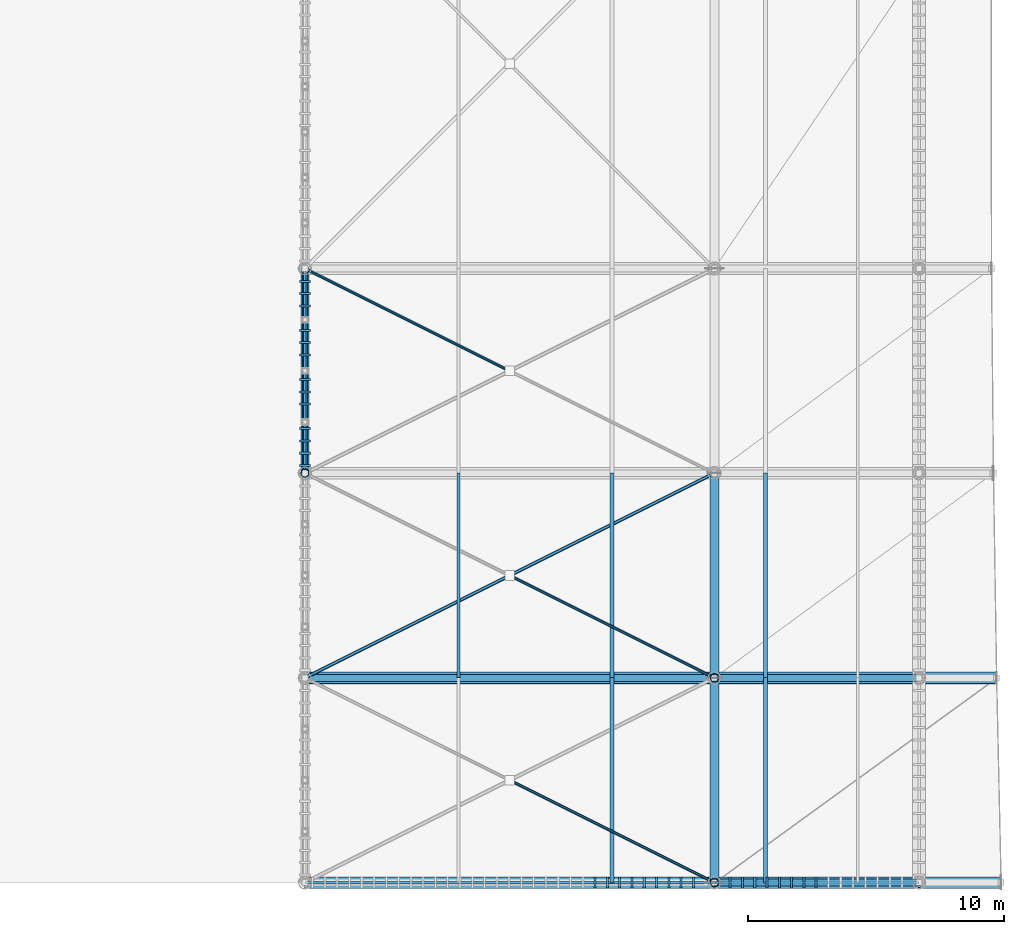
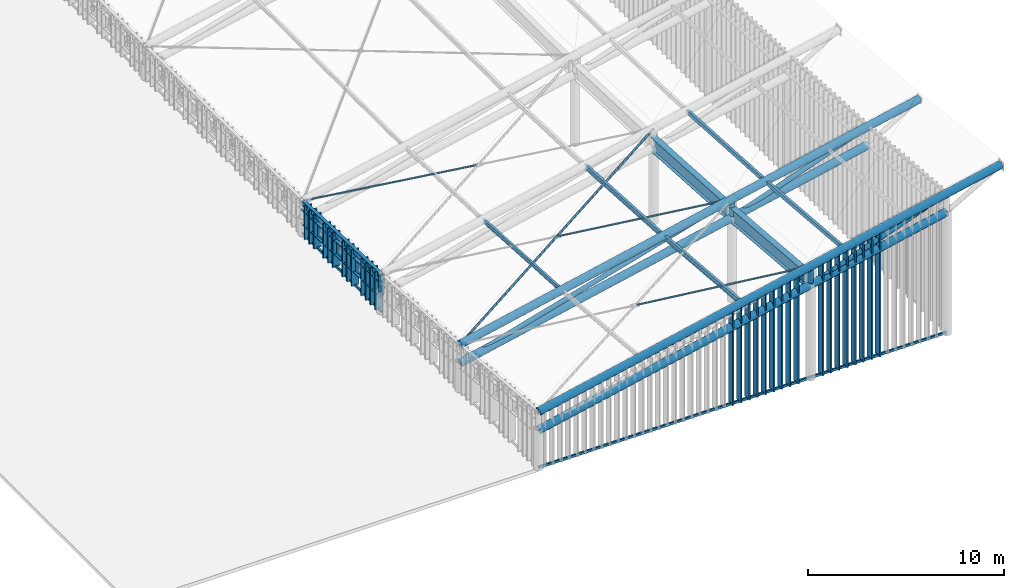
# One storey, part 4 of 25: 52 members, 4 beams.
"""IFC4 building model written with IfcOpenShell, lengths in metres."""

from ifc_helpers import new_model, si_unit, direction, frame, origin, origin_2d, place, context, subcontext, project, spatial, rectangle, hollow_rectangle, hollow_circle, i_section, extrude, material, material_profile, profile_set, type_object, element, save


model = new_model("IFC4")

# Units and contexts
model_context = context("Model", 3, precision=1e-05, world=origin(), true_north=direction((0.0, 1.0)))
body_context = subcontext(model_context, "Body", "Model", "MODEL_VIEW")
ifc_project = project(units=[si_unit("LENGTHUNIT", "METRE"), si_unit("AREAUNIT", "SQUARE_METRE"), si_unit("VOLUMEUNIT", "CUBIC_METRE"), si_unit("PLANEANGLEUNIT", "RADIAN"), si_unit("MASSUNIT", "GRAM", prefix="KILO")], contexts=[model_context])

# Site, building, storey
site_placement = place(None, origin())
site = spatial("IfcSite", under=ifc_project, at=site_placement, CompositionType="ELEMENT")
building_placement = place(site_placement, origin())
building = spatial("IfcBuilding", under=site, at=building_placement, Name="Haebicheon Civic Stadium", CompositionType="ELEMENT")
storey_placement = place(building_placement, frame((0.0, 0.0, 31.199951171875)))
storey = spatial("IfcBuildingStorey", under=building, at=storey_placement, Name="RF", CompositionType="ELEMENT", Elevation=31.199951171875)

# Members
ifc_material_1 = material(Name="White painted steel SM490", Category="steel")
ifc_material_profile_1 = material_profile(ifc_material_1, hollow_circle(Radius=0.05712890625, WallThickness=0.006103515625, at=origin_2d()), Name="CHS-114.3x6.0")
ifc_profile_set_1 = profile_set([ifc_material_profile_1], Name="White painted steel SM490")
member_type_1 = type_object("IfcMemberType", Name="BRC-CHS114", PredefinedType="BRACE", material=ifc_profile_set_1)
member_1_placement = place(storey_placement, frame((56.06298828125, 51.968994140625, 4.920166015625), z_axis=(0.87165287148, -0.435880059417, 0.224120158496), x_axis=(0.447257613669, 0.894405180561, 0.0)))
element("IfcMember", 1, at=member_1_placement, inside=storey, type_object=member_type_1, material=ifc_profile_set_1, Name="BR114 diagonal brace CAN-WEST canopy bay 1 B2", PredefinedType="BRACE", context=body_context, shape_type="SweptSolid", body=[
    extrude(hollow_circle(Radius=0.05712890625, WallThickness=0.006103515625, at=origin_2d()), origin(), (0.0, 0.0, 1.0), 9.105712890625),
])
member_2_placement = place(storey_placement, frame((56.06298828125, 59.968994140625, 4.341064453125), z_axis=(0.873644789116, -0.436876140777, 0.214205555646), x_axis=(0.447257613669, 0.894405180561, 0.0)))
element("IfcMember", 2, at=member_2_placement, inside=storey, type_object=member_type_1, material=ifc_profile_set_1, Name="BR114 diagonal brace CAN-WEST canopy bay 2 B2", PredefinedType="BRACE", context=body_context, shape_type="SweptSolid", body=[
    extrude(hollow_circle(Radius=0.05712890625, WallThickness=0.006103515625, at=origin_2d()), origin(), (0.0, 0.0, 1.0), 9.0849609375),
])
member_3_placement = place(storey_placement, frame((48.0, 72.0, 2.0771484375), z_axis=(0.875624987725, -0.437758625823, 0.204079068963), x_axis=(0.447169574081, 0.894449200355, 0.0)))
element("IfcMember", 3, at=member_3_placement, inside=storey, type_object=member_type_1, material=ifc_profile_set_1, Name="BR114 diagonal brace CAN-WEST canopy bay 3 B1", PredefinedType="BRACE", context=body_context, shape_type="SweptSolid", body=[
    extrude(hollow_circle(Radius=0.05712890625, WallThickness=0.006103515625, at=origin_2d()), origin(), (0.0, 0.0, 1.0), 9.064453125),
])
ifc_material_2 = material(Name="White painted steel SM490", Category="steel")
ifc_material_profile_2 = material_profile(ifc_material_2, hollow_circle(Radius=0.06982421875, WallThickness=0.006591796875, at=origin_2d()), Name="CHS-139.8x6.6")
ifc_profile_set_2 = profile_set([ifc_material_profile_2], Name="White painted steel SM490")
member_type_2 = type_object("IfcMemberType", Name="BRC-CHS139", PredefinedType="BRACE", material=ifc_profile_set_2)
member_4_placement = place(storey_placement, frame((48.0, 56.0, 2.84716796875), z_axis=(0.882436392639, 0.44121819632, 0.163194718609), x_axis=(-0.4472135955, 0.894427191, 0.0)))
element("IfcMember", 4, at=member_4_placement, inside=storey, type_object=member_type_2, material=ifc_profile_set_2, Name="BR139 diagonal brace CAN-WEST canopy bay 2 A", PredefinedType="BRACE", context=body_context, shape_type="SweptSolid", body=[
    extrude(hollow_circle(Radius=0.06982421875, WallThickness=0.006591796875, at=origin_2d()), origin(), (0.0, 0.0, 1.0), 18.131591796875),
])
ifc_material_3 = material(Name="White painted steel SM490", Category="steel")
ifc_material_profile_3 = material_profile(ifc_material_3, hollow_circle(Radius=0.1337890625, WallThickness=0.011962890625, at=origin_2d()), Name="CHS-267.4x12.0")
ifc_profile_set_3 = profile_set([ifc_material_profile_3], Name="White painted steel SM490")
member_type_3 = type_object("IfcMemberType", Name="BRC-CHS267", PredefinedType="BRACE", material=ifc_profile_set_3)
member_5_placement = place(storey_placement, frame((64.0, 48.0, 5.81103515625), z_axis=(0.941257424358, 0.0, 0.337689888939), x_axis=(0.0, 1.0, 0.0)))
element("IfcMember", 5, at=member_5_placement, inside=storey, type_object=member_type_3, material=ifc_profile_set_3, Name="BR267 diagonal brace CAN-WEST truss 1 D2", PredefinedType="BRACE", context=body_context, shape_type="SweptSolid", body=[
    extrude(hollow_circle(Radius=0.1337890625, WallThickness=0.011962890625, at=origin_2d()), origin(), (0.0, 0.0, 1.0), 8.499267578125),
])
member_6_placement = place(storey_placement, frame((48.0, 56.0, 1.697021484375), z_axis=(0.961227278426, 0.0, 0.275757355678), x_axis=(0.0, 1.0, 0.0)))
element("IfcMember", 6, at=member_6_placement, inside=storey, type_object=member_type_3, material=ifc_profile_set_3, Name="BR267 diagonal brace CAN-WEST truss 2 D1", PredefinedType="BRACE", context=body_context, shape_type="SweptSolid", body=[
    extrude(hollow_circle(Radius=0.1337890625, WallThickness=0.011962890625, at=origin_2d()), origin(), (0.0, 0.0, 1.0), 16.6455078125),
])
member_7_placement = place(storey_placement, frame((64.0, 56.0, 5.136962890625), z_axis=(0.941257424358, 0.0, 0.337689888939), x_axis=(0.0, 1.0, 0.0)))
element("IfcMember", 7, at=member_7_placement, inside=storey, type_object=member_type_3, material=ifc_profile_set_3, Name="BR267 diagonal brace CAN-WEST truss 2 D2", PredefinedType="BRACE", context=body_context, shape_type="SweptSolid", body=[
    extrude(hollow_circle(Radius=0.1337890625, WallThickness=0.011962890625, at=origin_2d()), origin(), (0.0, 0.0, 1.0), 8.499267578125),
])
ifc_material_4 = material(Name="White painted steel SM490", Category="steel")
ifc_material_profile_4 = material_profile(ifc_material_4, hollow_circle(Radius=0.228515625, WallThickness=0.02197265625, at=origin_2d()), Name="CHS-457.2x22.0")
ifc_profile_set_4 = profile_set([ifc_material_profile_4], Name="White painted steel SM490")
member_type_4 = type_object("IfcMemberType", Name="CHD-CHS457", PredefinedType="CHORD", material=ifc_profile_set_4)
member_8_placement = place(storey_placement, frame((48.0, 48.0, 3.52099609375), z_axis=(0.977657968939, 0.0, 0.210202035598), x_axis=(0.0, 1.0, 0.0)))
element("IfcMember", 8, at=member_8_placement, inside=storey, type_object=member_type_4, material=ifc_profile_set_4, Name="CH457 truss chord CAN-WEST 1 top", PredefinedType="CHORD", context=body_context, shape_type="SweptSolid", body=[
    extrude(hollow_circle(Radius=0.228515625, WallThickness=0.02197265625, at=origin_2d()), origin(), (0.0, 0.0, 1.0), 27.821533203125),
])
member_9_placement = place(storey_placement, frame((48.0, 48.0, 2.37109375), z_axis=(0.977659849808, 0.0, 0.210193287411), x_axis=(0.0, 1.0, 0.0)))
element("IfcMember", 9, at=member_9_placement, inside=storey, type_object=member_type_4, material=ifc_profile_set_4, Name="CH457 truss chord CAN-WEST 1 bottom", PredefinedType="CHORD", context=body_context, shape_type="SweptSolid", body=[
    extrude(hollow_circle(Radius=0.228515625, WallThickness=0.02197265625, at=origin_2d()), origin(), (0.0, 0.0, 1.0), 24.54833984375),
])
member_10_placement = place(storey_placement, frame((48.0, 56.0, 2.84716796875), z_axis=(0.97766312505, 0.0, 0.210178052892), x_axis=(0.0, 1.0, 0.0)))
element("IfcMember", 10, at=member_10_placement, inside=storey, type_object=member_type_4, material=ifc_profile_set_4, Name="CH457 truss chord CAN-WEST 2 top", PredefinedType="CHORD", context=body_context, shape_type="SweptSolid", body=[
    extrude(hollow_circle(Radius=0.228515625, WallThickness=0.02197265625, at=origin_2d()), origin(), (0.0, 0.0, 1.0), 27.642333984375),
])
member_11_placement = place(storey_placement, frame((48.0, 56.0, 1.697021484375), z_axis=(0.977659849808, 0.0, 0.210193287411), x_axis=(0.0, 1.0, 0.0)))
element("IfcMember", 11, at=member_11_placement, inside=storey, type_object=member_type_4, material=ifc_profile_set_4, Name="CH457 truss chord CAN-WEST 2 bottom", PredefinedType="CHORD", context=body_context, shape_type="SweptSolid", body=[
    extrude(hollow_circle(Radius=0.228515625, WallThickness=0.02197265625, at=origin_2d()), origin(), (0.0, 0.0, 1.0), 24.54833984375),
])
ifc_material_5 = material(Name="Acetylated timber GL28h", Category="wood")
ifc_material_profile_5 = material_profile(ifc_material_5, rectangle(XDim=0.080078125, YDim=0.43994140625, at=origin_2d()), Name="TMB-LOUV-80x440")
ifc_profile_set_5 = profile_set([ifc_material_profile_5], Name="Acetylated timber GL28h")
member_type_5 = type_object("IfcMemberType", Name="CRN-LVR-440x80", PredefinedType="PLATE", material=ifc_profile_set_5)
member_12_placement = place(storey_placement, frame((48.0, 64.300048828125, 0.050048828125), z_axis=(0.0, 0.0, 1.0), x_axis=(0.0, 1.0, 0.0)))
element("IfcMember", 12, at=member_12_placement, inside=storey, type_object=member_type_5, material=ifc_profile_set_5, Name="Crown wind-baffle slat W.3.1", PredefinedType="PLATE", context=body_context, shape_type="SweptSolid", body=[
    extrude(rectangle(XDim=0.080078125, YDim=0.43994140625, at=origin_2d()), origin(), (0.0, 0.0, 1.0), 2.333984375),
])
member_13_placement = place(storey_placement, frame((48.0, 64.780029296875, 0.050048828125), z_axis=(0.0, 0.0, 1.0), x_axis=(0.0, 1.0, 0.0)))
element("IfcMember", 13, at=member_13_placement, inside=storey, type_object=member_type_5, material=ifc_profile_set_5, Name="Crown wind-baffle slat W.3.2", PredefinedType="PLATE", context=body_context, shape_type="SweptSolid", body=[
    extrude(rectangle(XDim=0.080078125, YDim=0.43994140625, at=origin_2d()), origin(), (0.0, 0.0, 1.0), 2.31689453125),
])
member_14_placement = place(storey_placement, frame((48.0, 65.260009765625, 0.050048828125), z_axis=(0.0, 0.0, 1.0), x_axis=(0.0, 1.0, 0.0)))
element("IfcMember", 14, at=member_14_placement, inside=storey, type_object=member_type_5, material=ifc_profile_set_5, Name="Crown wind-baffle slat W.3.3", PredefinedType="PLATE", context=body_context, shape_type="SweptSolid", body=[
    extrude(rectangle(XDim=0.080078125, YDim=0.43994140625, at=origin_2d()), origin(), (0.0, 0.0, 1.0), 2.299072265625),
])
member_15_placement = place(storey_placement, frame((48.0, 65.739990234375, 0.050048828125), z_axis=(0.0, 0.0, 1.0), x_axis=(0.0, 1.0, 0.0)))
element("IfcMember", 15, at=member_15_placement, inside=storey, type_object=member_type_5, material=ifc_profile_set_5, Name="Crown wind-baffle slat W.3.4", PredefinedType="PLATE", context=body_context, shape_type="SweptSolid", body=[
    extrude(rectangle(XDim=0.080078125, YDim=0.43994140625, at=origin_2d()), origin(), (0.0, 0.0, 1.0), 2.281982421875),
])
member_16_placement = place(storey_placement, frame((48.0, 66.699951171875, 0.050048828125), z_axis=(0.0, 0.0, 1.0), x_axis=(0.0, 1.0, 0.0)))
element("IfcMember", 16, at=member_16_placement, inside=storey, type_object=member_type_5, material=ifc_profile_set_5, Name="Crown wind-baffle slat W.3.6", PredefinedType="PLATE", context=body_context, shape_type="SweptSolid", body=[
    extrude(rectangle(XDim=0.080078125, YDim=0.43994140625, at=origin_2d()), origin(), (0.0, 0.0, 1.0), 2.2470703125),
])
member_17_placement = place(storey_placement, frame((48.0, 67.179931640625, 0.050048828125), z_axis=(0.0, 0.0, 1.0), x_axis=(0.0, 1.0, 0.0)))
element("IfcMember", 17, at=member_17_placement, inside=storey, type_object=member_type_5, material=ifc_profile_set_5, Name="Crown wind-baffle slat W.3.7", PredefinedType="PLATE", context=body_context, shape_type="SweptSolid", body=[
    extrude(rectangle(XDim=0.080078125, YDim=0.43994140625, at=origin_2d()), origin(), (0.0, 0.0, 1.0), 2.22998046875),
])
member_18_placement = place(storey_placement, frame((48.0, 67.659912109375, 0.050048828125), z_axis=(0.0, 0.0, 1.0), x_axis=(0.0, 1.0, 0.0)))
element("IfcMember", 18, at=member_18_placement, inside=storey, type_object=member_type_5, material=ifc_profile_set_5, Name="Crown wind-baffle slat W.3.8", PredefinedType="PLATE", context=body_context, shape_type="SweptSolid", body=[
    extrude(rectangle(XDim=0.080078125, YDim=0.43994140625, at=origin_2d()), origin(), (0.0, 0.0, 1.0), 2.212890625),
])
member_19_placement = place(storey_placement, frame((48.0, 68.6201171875, 0.050048828125), z_axis=(0.0, 0.0, 1.0), x_axis=(0.0, 1.0, 0.0)))
element("IfcMember", 19, at=member_19_placement, inside=storey, type_object=member_type_5, material=ifc_profile_set_5, Name="Crown wind-baffle slat W.3.10", PredefinedType="PLATE", context=body_context, shape_type="SweptSolid", body=[
    extrude(rectangle(XDim=0.080078125, YDim=0.43994140625, at=origin_2d()), origin(), (0.0, 0.0, 1.0), 2.177978515625),
])
member_20_placement = place(storey_placement, frame((48.0, 69.10009765625, 0.050048828125), z_axis=(0.0, 0.0, 1.0), x_axis=(0.0, 1.0, 0.0)))
element("IfcMember", 20, at=member_20_placement, inside=storey, type_object=member_type_5, material=ifc_profile_set_5, Name="Crown wind-baffle slat W.3.11", PredefinedType="PLATE", context=body_context, shape_type="SweptSolid", body=[
    extrude(rectangle(XDim=0.080078125, YDim=0.43994140625, at=origin_2d()), origin(), (0.0, 0.0, 1.0), 2.160888671875),
])
member_21_placement = place(storey_placement, frame((48.0, 69.580078125, 0.050048828125), z_axis=(0.0, 0.0, 1.0), x_axis=(0.0, 1.0, 0.0)))
element("IfcMember", 21, at=member_21_placement, inside=storey, type_object=member_type_5, material=ifc_profile_set_5, Name="Crown wind-baffle slat W.3.12", PredefinedType="PLATE", context=body_context, shape_type="SweptSolid", body=[
    extrude(rectangle(XDim=0.080078125, YDim=0.43994140625, at=origin_2d()), origin(), (0.0, 0.0, 1.0), 2.14306640625),
])
member_22_placement = place(storey_placement, frame((48.0, 70.5400390625, 0.050048828125), z_axis=(0.0, 0.0, 1.0), x_axis=(0.0, 1.0, 0.0)))
element("IfcMember", 22, at=member_22_placement, inside=storey, type_object=member_type_5, material=ifc_profile_set_5, Name="Crown wind-baffle slat W.3.14", PredefinedType="PLATE", context=body_context, shape_type="SweptSolid", body=[
    extrude(rectangle(XDim=0.080078125, YDim=0.43994140625, at=origin_2d()), origin(), (0.0, 0.0, 1.0), 2.10888671875),
])
member_23_placement = place(storey_placement, frame((48.0, 71.02001953125, 0.050048828125), z_axis=(0.0, 0.0, 1.0), x_axis=(0.0, 1.0, 0.0)))
element("IfcMember", 23, at=member_23_placement, inside=storey, type_object=member_type_5, material=ifc_profile_set_5, Name="Crown wind-baffle slat W.3.15", PredefinedType="PLATE", context=body_context, shape_type="SweptSolid", body=[
    extrude(rectangle(XDim=0.080078125, YDim=0.43994140625, at=origin_2d()), origin(), (0.0, 0.0, 1.0), 2.091064453125),
])
member_24_placement = place(storey_placement, frame((48.0, 71.5, 0.050048828125), z_axis=(0.0, 0.0, 1.0), x_axis=(0.0, 1.0, 0.0)))
element("IfcMember", 24, at=member_24_placement, inside=storey, type_object=member_type_5, material=ifc_profile_set_5, Name="Crown wind-baffle slat W.3.16", PredefinedType="PLATE", context=body_context, shape_type="SweptSolid", body=[
    extrude(rectangle(XDim=0.080078125, YDim=0.43994140625, at=origin_2d()), origin(), (0.0, 0.0, 1.0), 2.073974609375),
])
member_25_placement = place(storey_placement, frame((59.340087890625, 48.0, 0.050048828125), z_axis=(0.0, 0.0, 1.0), x_axis=(1.0, 0.0, 0.0)))
element("IfcMember", 25, at=member_25_placement, inside=storey, type_object=member_type_5, material=ifc_profile_set_5, Name="Crown gable wind-baffle slat S.24", PredefinedType="PLATE", context=body_context, shape_type="SweptSolid", body=[
    extrude(rectangle(XDim=0.080078125, YDim=0.43994140625, at=origin_2d()), origin(), (0.0, 0.0, 1.0), 5.93798828125),
])
member_26_placement = place(storey_placement, frame((59.820068359375, 48.0, 0.050048828125), z_axis=(0.0, 0.0, 1.0), x_axis=(1.0, 0.0, 0.0)))
element("IfcMember", 26, at=member_26_placement, inside=storey, type_object=member_type_5, material=ifc_profile_set_5, Name="Crown gable wind-baffle slat S.25", PredefinedType="PLATE", context=body_context, shape_type="SweptSolid", body=[
    extrude(rectangle(XDim=0.080078125, YDim=0.43994140625, at=origin_2d()), origin(), (0.0, 0.0, 1.0), 6.041015625),
])
member_27_placement = place(storey_placement, frame((60.300048828125, 48.0, 0.050048828125), z_axis=(0.0, 0.0, 1.0), x_axis=(1.0, 0.0, 0.0)))
element("IfcMember", 27, at=member_27_placement, inside=storey, type_object=member_type_5, material=ifc_profile_set_5, Name="Crown gable wind-baffle slat S.26", PredefinedType="PLATE", context=body_context, shape_type="SweptSolid", body=[
    extrude(rectangle(XDim=0.080078125, YDim=0.43994140625, at=origin_2d()), origin(), (0.0, 0.0, 1.0), 6.14404296875),
])
member_28_placement = place(storey_placement, frame((60.780029296875, 48.0, 0.050048828125), z_axis=(0.0, 0.0, 1.0), x_axis=(1.0, 0.0, 0.0)))
element("IfcMember", 28, at=member_28_placement, inside=storey, type_object=member_type_5, material=ifc_profile_set_5, Name="Crown gable wind-baffle slat S.27", PredefinedType="PLATE", context=body_context, shape_type="SweptSolid", body=[
    extrude(rectangle(XDim=0.080078125, YDim=0.43994140625, at=origin_2d()), origin(), (0.0, 0.0, 1.0), 6.248046875),
])
member_29_placement = place(storey_placement, frame((61.260009765625, 48.0, 0.050048828125), z_axis=(0.0, 0.0, 1.0), x_axis=(1.0, 0.0, 0.0)))
element("IfcMember", 29, at=member_29_placement, inside=storey, type_object=member_type_5, material=ifc_profile_set_5, Name="Crown gable wind-baffle slat S.28", PredefinedType="PLATE", context=body_context, shape_type="SweptSolid", body=[
    extrude(rectangle(XDim=0.080078125, YDim=0.43994140625, at=origin_2d()), origin(), (0.0, 0.0, 1.0), 6.35107421875),
])
member_30_placement = place(storey_placement, frame((61.739990234375, 48.0, 0.050048828125), z_axis=(0.0, 0.0, 1.0), x_axis=(1.0, 0.0, 0.0)))
element("IfcMember", 30, at=member_30_placement, inside=storey, type_object=member_type_5, material=ifc_profile_set_5, Name="Crown gable wind-baffle slat S.29", PredefinedType="PLATE", context=body_context, shape_type="SweptSolid", body=[
    extrude(rectangle(XDim=0.080078125, YDim=0.43994140625, at=origin_2d()), origin(), (0.0, 0.0, 1.0), 6.4541015625),
])
member_31_placement = place(storey_placement, frame((62.219970703125, 48.0, 0.050048828125), z_axis=(0.0, 0.0, 1.0), x_axis=(1.0, 0.0, 0.0)))
element("IfcMember", 31, at=member_31_placement, inside=storey, type_object=member_type_5, material=ifc_profile_set_5, Name="Crown gable wind-baffle slat S.30", PredefinedType="PLATE", context=body_context, shape_type="SweptSolid", body=[
    extrude(rectangle(XDim=0.080078125, YDim=0.43994140625, at=origin_2d()), origin(), (0.0, 0.0, 1.0), 6.556884765625),
])
member_32_placement = place(storey_placement, frame((62.699951171875, 48.0, 0.050048828125), z_axis=(0.0, 0.0, 1.0), x_axis=(1.0, 0.0, 0.0)))
element("IfcMember", 32, at=member_32_placement, inside=storey, type_object=member_type_5, material=ifc_profile_set_5, Name="Crown gable wind-baffle slat S.31", PredefinedType="PLATE", context=body_context, shape_type="SweptSolid", body=[
    extrude(rectangle(XDim=0.080078125, YDim=0.43994140625, at=origin_2d()), origin(), (0.0, 0.0, 1.0), 6.659912109375),
])
member_33_placement = place(storey_placement, frame((63.179931640625, 48.0, 0.050048828125), z_axis=(0.0, 0.0, 1.0), x_axis=(1.0, 0.0, 0.0)))
element("IfcMember", 33, at=member_33_placement, inside=storey, type_object=member_type_5, material=ifc_profile_set_5, Name="Crown gable wind-baffle slat S.32", PredefinedType="PLATE", context=body_context, shape_type="SweptSolid", body=[
    extrude(rectangle(XDim=0.080078125, YDim=0.43994140625, at=origin_2d()), origin(), (0.0, 0.0, 1.0), 6.763916015625),
])
member_34_placement = place(storey_placement, frame((64.6201171875, 48.0, 0.050048828125), z_axis=(0.0, 0.0, 1.0), x_axis=(1.0, 0.0, 0.0)))
element("IfcMember", 34, at=member_34_placement, inside=storey, type_object=member_type_5, material=ifc_profile_set_5, Name="Crown gable wind-baffle slat S.35", PredefinedType="PLATE", context=body_context, shape_type="SweptSolid", body=[
    extrude(rectangle(XDim=0.080078125, YDim=0.43994140625, at=origin_2d()), origin(), (0.0, 0.0, 1.0), 7.072998046875),
])
member_35_placement = place(storey_placement, frame((65.10009765625, 48.0, 0.050048828125), z_axis=(0.0, 0.0, 1.0), x_axis=(1.0, 0.0, 0.0)))
element("IfcMember", 35, at=member_35_placement, inside=storey, type_object=member_type_5, material=ifc_profile_set_5, Name="Crown gable wind-baffle slat S.36", PredefinedType="PLATE", context=body_context, shape_type="SweptSolid", body=[
    extrude(rectangle(XDim=0.080078125, YDim=0.43994140625, at=origin_2d()), origin(), (0.0, 0.0, 1.0), 7.176025390625),
])
member_36_placement = place(storey_placement, frame((65.580078125, 48.0, 0.050048828125), z_axis=(0.0, 0.0, 1.0), x_axis=(1.0, 0.0, 0.0)))
element("IfcMember", 36, at=member_36_placement, inside=storey, type_object=member_type_5, material=ifc_profile_set_5, Name="Crown gable wind-baffle slat S.37", PredefinedType="PLATE", context=body_context, shape_type="SweptSolid", body=[
    extrude(rectangle(XDim=0.080078125, YDim=0.43994140625, at=origin_2d()), origin(), (0.0, 0.0, 1.0), 7.280029296875),
])
member_37_placement = place(storey_placement, frame((66.06005859375, 48.0, 0.050048828125), z_axis=(0.0, 0.0, 1.0), x_axis=(1.0, 0.0, 0.0)))
element("IfcMember", 37, at=member_37_placement, inside=storey, type_object=member_type_5, material=ifc_profile_set_5, Name="Crown gable wind-baffle slat S.38", PredefinedType="PLATE", context=body_context, shape_type="SweptSolid", body=[
    extrude(rectangle(XDim=0.080078125, YDim=0.43994140625, at=origin_2d()), origin(), (0.0, 0.0, 1.0), 7.383056640625),
])
member_38_placement = place(storey_placement, frame((66.5400390625, 48.0, 0.050048828125), z_axis=(0.0, 0.0, 1.0), x_axis=(1.0, 0.0, 0.0)))
element("IfcMember", 38, at=member_38_placement, inside=storey, type_object=member_type_5, material=ifc_profile_set_5, Name="Crown gable wind-baffle slat S.39", PredefinedType="PLATE", context=body_context, shape_type="SweptSolid", body=[
    extrude(rectangle(XDim=0.080078125, YDim=0.43994140625, at=origin_2d()), origin(), (0.0, 0.0, 1.0), 7.486083984375),
])
member_39_placement = place(storey_placement, frame((67.02001953125, 48.0, 0.050048828125), z_axis=(0.0, 0.0, 1.0), x_axis=(1.0, 0.0, 0.0)))
element("IfcMember", 39, at=member_39_placement, inside=storey, type_object=member_type_5, material=ifc_profile_set_5, Name="Crown gable wind-baffle slat S.40", PredefinedType="PLATE", context=body_context, shape_type="SweptSolid", body=[
    extrude(rectangle(XDim=0.080078125, YDim=0.43994140625, at=origin_2d()), origin(), (0.0, 0.0, 1.0), 7.589111328125),
])
member_40_placement = place(storey_placement, frame((67.5, 48.0, 0.050048828125), z_axis=(0.0, 0.0, 1.0), x_axis=(1.0, 0.0, 0.0)))
element("IfcMember", 40, at=member_40_placement, inside=storey, type_object=member_type_5, material=ifc_profile_set_5, Name="Crown gable wind-baffle slat S.41", PredefinedType="PLATE", context=body_context, shape_type="SweptSolid", body=[
    extrude(rectangle(XDim=0.080078125, YDim=0.43994140625, at=origin_2d()), origin(), (0.0, 0.0, 1.0), 7.69189453125),
])
member_41_placement = place(storey_placement, frame((67.97998046875, 48.0, 0.050048828125), z_axis=(0.0, 0.0, 1.0), x_axis=(1.0, 0.0, 0.0)))
element("IfcMember", 41, at=member_41_placement, inside=storey, type_object=member_type_5, material=ifc_profile_set_5, Name="Crown gable wind-baffle slat S.42", PredefinedType="PLATE", context=body_context, shape_type="SweptSolid", body=[
    extrude(rectangle(XDim=0.080078125, YDim=0.43994140625, at=origin_2d()), origin(), (0.0, 0.0, 1.0), 7.7958984375),
])
ifc_material_6 = material(Name="White painted steel SM490", Category="steel")
ifc_material_profile_6 = material_profile(ifc_material_6, hollow_rectangle(XDim=0.14990234375, YDim=0.25, WallThickness=0.010009765625, at=origin_2d()), Name="RHS-250x150x10.0")
ifc_profile_set_6 = profile_set([ifc_material_profile_6], Name="White painted steel SM490")
member_type_6 = type_object("IfcMemberType", Name="PRL-RHS250", PredefinedType="PURLIN", material=ifc_profile_set_6)
member_42_placement = place(storey_placement, frame((66.0, 48.0, 7.35009765625), z_axis=(0.0, 0.996468998063, -0.083961514394), x_axis=(-1.0, 0.0, 0.0)))
element("IfcMember", 42, at=member_42_placement, inside=storey, type_object=member_type_6, material=ifc_profile_set_6, Name="CAN-WEST canopy purlin bay 1 (75%)", PredefinedType="PURLIN", context=body_context, shape_type="SweptSolid", body=[
    extrude(hollow_rectangle(XDim=0.14990234375, YDim=0.25, WallThickness=0.010009765625, at=origin_2d()), origin(), (0.0, 0.0, 1.0), 8.0283203125),
])
member_43_placement = place(storey_placement, frame((66.0, 56.0, 6.676025390625), z_axis=(0.0, 0.998197699277, -0.060011275256), x_axis=(-1.0, 0.0, 0.0)))
element("IfcMember", 43, at=member_43_placement, inside=storey, type_object=member_type_6, material=ifc_profile_set_6, Name="CAN-WEST canopy purlin bay 2 (75%)", PredefinedType="PURLIN", context=body_context, shape_type="SweptSolid", body=[
    extrude(hollow_rectangle(XDim=0.14990234375, YDim=0.25, WallThickness=0.010009765625, at=origin_2d()), origin(), (0.0, 0.0, 1.0), 8.014404296875),
])
ifc_material_7 = material(Name="White painted steel SM490", Category="steel")
ifc_material_profile_7 = material_profile(ifc_material_7, i_section(OverallWidth=0.125, OverallDepth=0.25, WebThickness=0.006103515625, FlangeThickness=0.009033203125, at=origin_2d()), Name="H-250x125x6x9")
ifc_profile_set_7 = profile_set([ifc_material_profile_7], Name="White painted steel SM490")
member_type_7 = type_object("IfcMemberType", Name="PRL-ST-H250", PredefinedType="PURLIN", material=ifc_profile_set_7)
member_44_placement = place(storey_placement, frame((54.0, 56.0, 4.095947265625), z_axis=(0.0, 0.998197699277, -0.060011275256), x_axis=(-1.0, 0.0, 0.0)))
element("IfcMember", 44, at=member_44_placement, inside=storey, type_object=member_type_7, material=ifc_profile_set_7, Name="CAN-WEST canopy purlin bay 2 (25%)", PredefinedType="PURLIN", context=body_context, shape_type="SweptSolid", body=[
    extrude(i_section(OverallWidth=0.125, OverallDepth=0.25, WebThickness=0.006103515625, FlangeThickness=0.009033203125, at=origin_2d()), origin(), (0.0, 0.0, 1.0), 8.014404296875),
])
ifc_material_8 = material(Name="White painted steel SM490", Category="steel")
ifc_material_profile_8 = material_profile(ifc_material_8, i_section(OverallWidth=0.14990234375, OverallDepth=0.300048828125, WebThickness=0.006591796875, FlangeThickness=0.009033203125, at=origin_2d()), Name="H-300x150x6.5x9")
ifc_profile_set_8 = profile_set([ifc_material_profile_8], Name="White painted steel SM490")
member_type_8 = type_object("IfcMemberType", Name="PRL-ST-H300", PredefinedType="PURLIN", material=ifc_profile_set_8)
member_45_placement = place(storey_placement, frame((60.0, 48.0, 6.03515625), z_axis=(0.0, 0.996468998063, -0.083961514394), x_axis=(-1.0, 0.0, 0.0)))
element("IfcMember", 45, at=member_45_placement, inside=storey, type_object=member_type_8, material=ifc_profile_set_8, Name="CAN-WEST canopy purlin bay 1 (50%)", PredefinedType="PURLIN", context=body_context, shape_type="SweptSolid", body=[
    extrude(i_section(OverallWidth=0.14990234375, OverallDepth=0.300048828125, WebThickness=0.006591796875, FlangeThickness=0.009033203125, at=origin_2d()), origin(), (0.0, 0.0, 1.0), 8.0283203125),
])
member_46_placement = place(storey_placement, frame((60.0, 56.0, 5.361083984375), z_axis=(0.0, 0.998197699277, -0.060011275256), x_axis=(-1.0, 0.0, 0.0)))
element("IfcMember", 46, at=member_46_placement, inside=storey, type_object=member_type_8, material=ifc_profile_set_8, Name="CAN-WEST canopy purlin bay 2 (50%)", PredefinedType="PURLIN", context=body_context, shape_type="SweptSolid", body=[
    extrude(i_section(OverallWidth=0.14990234375, OverallDepth=0.300048828125, WebThickness=0.006591796875, FlangeThickness=0.009033203125, at=origin_2d()), origin(), (0.0, 0.0, 1.0), 8.014404296875),
])

# Beams
ifc_material_9 = material(Name="White painted steel SM490", Category="steel")
ifc_material_profile_9 = material_profile(ifc_material_9, i_section(OverallWidth=0.35009765625, OverallDepth=0.89990234375, WebThickness=0.01806640625, FlangeThickness=0.031982421875, at=origin_2d()), Name="H-900x350x18x32")
ifc_profile_set_9 = profile_set([ifc_material_profile_9], Name="White painted steel SM490")
beam_type_1 = type_object("IfcBeamType", Name="RB-ST-H900A", PredefinedType="USERDEFINED", material=ifc_profile_set_9)
beam_1_placement = place(storey_placement, frame((64.0, 48.0, 6.06103515625), z_axis=(0.0, 0.996468998063, -0.083961514394), x_axis=(-1.0, 0.0, 0.0)))
element("IfcBeam", 47, at=beam_1_placement, inside=storey, type_object=beam_type_1, material=ifc_profile_set_9, Name="CAN-WEST polygonal ring beam RB-PIV bay 1", ObjectType="RING BEAM", PredefinedType="USERDEFINED", context=body_context, shape_type="SweptSolid", body=[
    extrude(i_section(OverallWidth=0.35009765625, OverallDepth=0.89990234375, WebThickness=0.01806640625, FlangeThickness=0.031982421875, at=origin_2d()), origin(), (0.0, 0.0, 1.0), 8.0283203125),
])
beam_2_placement = place(storey_placement, frame((64.0, 56.0, 5.386962890625), z_axis=(0.0, 0.998197699277, -0.060011275256), x_axis=(-1.0, 0.0, 0.0)))
element("IfcBeam", 48, at=beam_2_placement, inside=storey, type_object=beam_type_1, material=ifc_profile_set_9, Name="CAN-WEST polygonal ring beam RB-PIV bay 2", ObjectType="RING BEAM", PredefinedType="USERDEFINED", context=body_context, shape_type="SweptSolid", body=[
    extrude(i_section(OverallWidth=0.35009765625, OverallDepth=0.89990234375, WebThickness=0.01806640625, FlangeThickness=0.031982421875, at=origin_2d()), origin(), (0.0, 0.0, 1.0), 8.014404296875),
])
ifc_material_10 = material(Name="White painted steel SM490", Category="steel")
ifc_material_profile_10 = material_profile(ifc_material_10, i_section(OverallWidth=0.300048828125, OverallDepth=0.89990234375, WebThickness=0.01611328125, FlangeThickness=0.028076171875, at=origin_2d()), Name="H-900x300x16x28")
ifc_profile_set_10 = profile_set([ifc_material_profile_10], Name="White painted steel SM490")
beam_type_2 = type_object("IfcBeamType", Name="RB-ST-H900B", PredefinedType="USERDEFINED", material=ifc_profile_set_10)
beam_3_placement = place(storey_placement, frame((48.0, 64.0, 1.466064453125), z_axis=(0.0, 0.999347848438, -0.03610924843), x_axis=(-1.0, 0.0, 0.0)))
element("IfcBeam", 49, at=beam_3_placement, inside=storey, type_object=beam_type_2, material=ifc_profile_set_10, Name="CAN-WEST polygonal ring beam RB-BCK bay 3", ObjectType="RING BEAM", PredefinedType="USERDEFINED", context=body_context, shape_type="SweptSolid", body=[
    extrude(i_section(OverallWidth=0.300048828125, OverallDepth=0.89990234375, WebThickness=0.01611328125, FlangeThickness=0.028076171875, at=origin_2d()), origin(), (0.0, 0.0, 1.0), 8.005126953125),
])
ifc_material_11 = material(Name="White painted steel SM490", Category="steel")
ifc_material_profile_11 = material_profile(ifc_material_11, hollow_rectangle(XDim=0.199951171875, YDim=0.300048828125, WallThickness=0.011962890625, at=origin_2d()), Name="RHS-300x200x12.0")
ifc_profile_set_11 = profile_set([ifc_material_profile_11], Name="White painted steel SM490")
beam_type_3 = type_object("IfcBeamType", Name="RB-ST-RHS300", PredefinedType="USERDEFINED", material=ifc_profile_set_11)
beam_4_placement = place(storey_placement, frame((48.0, 64.0, 2.26611328125), z_axis=(0.0, 0.999347848438, -0.03610924843), x_axis=(-1.0, 0.0, 0.0)))
element("IfcBeam", 50, at=beam_4_placement, inside=storey, type_object=beam_type_3, material=ifc_profile_set_11, Name="CAN-WEST polygonal ring beam RB-TOP bay 3", ObjectType="RING BEAM", PredefinedType="USERDEFINED", context=body_context, shape_type="SweptSolid", body=[
    extrude(hollow_rectangle(XDim=0.199951171875, YDim=0.300048828125, WallThickness=0.011962890625, at=origin_2d()), origin(), (0.0, 0.0, 1.0), 8.005126953125),
])

# Members
ifc_material_12 = material(Name="White painted steel SM490", Category="steel")
ifc_material_profile_12 = material_profile(ifc_material_12, hollow_circle(Radius=0.1591796875, WallThickness=0.013916015625, at=origin_2d()), Name="CHS-318.5x14.0")
ifc_profile_set_12 = profile_set([ifc_material_profile_12], Name="White painted steel SM490")
member_type_9 = type_object("IfcMemberType", Name="STR-CHS318", PredefinedType="STRUT", material=ifc_profile_set_12)
member_47_placement = place(storey_placement, frame((64.0, 48.0, 5.81103515625), z_axis=(0.0, 0.0, 1.0), x_axis=(1.0, 0.0, 0.0)))
element("IfcMember", 51, at=member_47_placement, inside=storey, type_object=member_type_9, material=ifc_profile_set_12, Name="ST318 web strut CAN-WEST truss 1 VP", PredefinedType="STRUT", context=body_context, shape_type="SweptSolid", body=[
    extrude(hollow_circle(Radius=0.1591796875, WallThickness=0.013916015625, at=origin_2d()), origin(), (0.0, 0.0, 1.0), 1.14990234375),
])
member_48_placement = place(storey_placement, frame((64.0, 56.0, 5.136962890625), z_axis=(0.0, 0.0, 1.0), x_axis=(1.0, 0.0, 0.0)))
element("IfcMember", 52, at=member_48_placement, inside=storey, type_object=member_type_9, material=ifc_profile_set_12, Name="ST318 web strut CAN-WEST truss 2 VP", PredefinedType="STRUT", context=body_context, shape_type="SweptSolid", body=[
    extrude(hollow_circle(Radius=0.1591796875, WallThickness=0.013916015625, at=origin_2d()), origin(), (0.0, 0.0, 1.0), 1.150146484375),
])
member_49_placement = place(storey_placement, frame((48.0, 64.0, 1.216064453125), z_axis=(0.0, 0.0, 1.0), x_axis=(1.0, 0.0, 0.0)))
element("IfcMember", 53, at=member_49_placement, inside=storey, type_object=member_type_9, material=ifc_profile_set_12, Name="ST318 web strut CAN-WEST truss 3 VB", PredefinedType="STRUT", context=body_context, shape_type="SweptSolid", body=[
    extrude(hollow_circle(Radius=0.1591796875, WallThickness=0.013916015625, at=origin_2d()), origin(), (0.0, 0.0, 1.0), 1.14990234375),
])
ifc_material_13 = material(Name="Steel SM355 (S355)", Category="steel")
ifc_material_profile_13 = material_profile(ifc_material_13, hollow_rectangle(XDim=0.10009765625, YDim=0.14990234375, WallThickness=0.006103515625, at=origin_2d()), Name="RHS-150x100x6.0")
ifc_profile_set_13 = profile_set([ifc_material_profile_13], Name="Steel SM355 (S355)")
member_type_10 = type_object("IfcMemberType", Name="SUB-RHS150", PredefinedType="STRINGER", material=ifc_profile_set_13)
member_50_placement = place(storey_placement, frame((48.0, 64.0, 0.050048828125), z_axis=(0.0, 1.0, 0.0), x_axis=(-1.0, 0.0, 0.0)))
element("IfcMember", 54, at=member_50_placement, inside=storey, type_object=member_type_10, material=ifc_profile_set_13, Name="Crown baffle bottom rail W.3", PredefinedType="STRINGER", context=body_context, shape_type="SweptSolid", body=[
    extrude(hollow_rectangle(XDim=0.10009765625, YDim=0.14990234375, WallThickness=0.006103515625, at=origin_2d()), origin(), (0.0, 0.0, 1.0), 8.0),
])
member_51_placement = place(storey_placement, frame((48.0, 48.0, 0.050048828125), z_axis=(1.0, 0.0, 0.0), x_axis=(0.0, 1.0, 0.0)))
element("IfcMember", 55, at=member_51_placement, inside=storey, type_object=member_type_10, material=ifc_profile_set_13, Name="Crown gable bottom rail S", PredefinedType="STRINGER", context=body_context, shape_type="SweptSolid", body=[
    extrude(hollow_rectangle(XDim=0.10009765625, YDim=0.14990234375, WallThickness=0.006103515625, at=origin_2d()), origin(), (0.0, 0.0, 1.0), 24.0),
])
member_52_placement = place(storey_placement, frame((48.0, 48.0, 3.550048828125), z_axis=(0.977659849808, 0.0, 0.210193287411), x_axis=(0.0, 1.0, 0.0)))
element("IfcMember", 56, at=member_52_placement, inside=storey, type_object=member_type_10, material=ifc_profile_set_13, Name="Crown gable top rail S", PredefinedType="STRINGER", context=body_context, shape_type="SweptSolid", body=[
    extrude(hollow_rectangle(XDim=0.10009765625, YDim=0.14990234375, WallThickness=0.006103515625, at=origin_2d()), origin(), (0.0, 0.0, 1.0), 24.54833984375),
])

save(model, "model.ifc")
